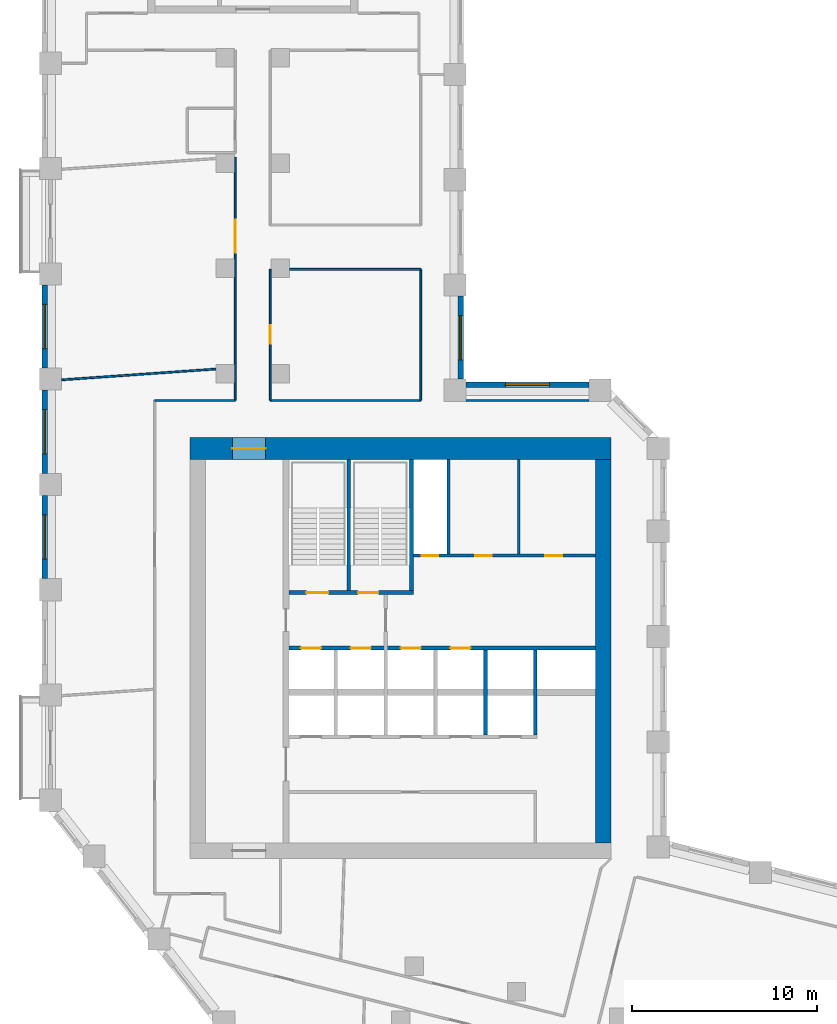
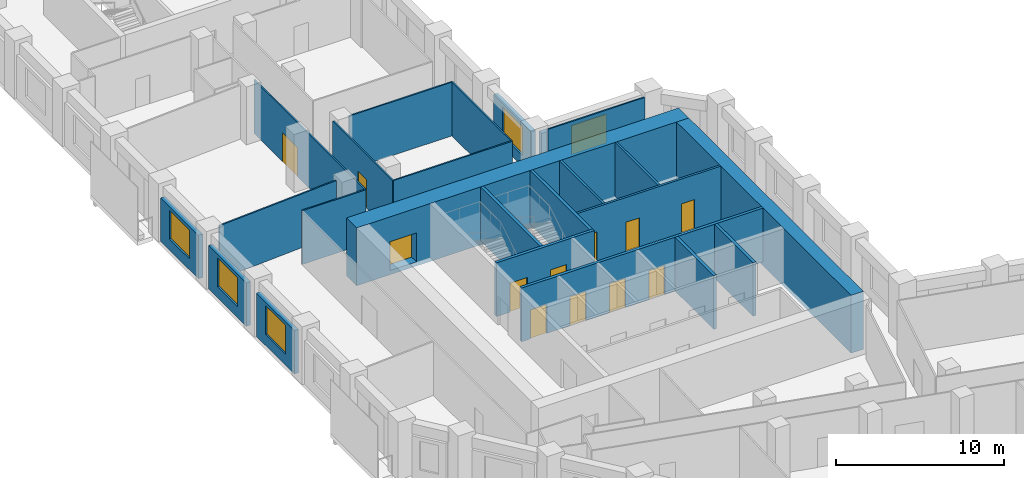
# One storey, part 5 of 10: 24 walls, 12 doors, 5 windows, 17 openings.
"""IFC4 building model written with IfcOpenShell, lengths in metres."""

from ifc_helpers import new_model, si_unit, direction, frame, frame_2d, origin, place, context, subcontext, project, spatial, rectangle, extrude, material, layer, layer_set, type_object, element, fill, save


model = new_model("IFC4")

# Units and contexts
model_context = context("Model", 3, precision=1e-05, world=origin(), true_north=direction((0.0, 1.0)))
body_context = subcontext(model_context, "Body", "Model", "MODEL_VIEW")
ifc_project = project(units=[si_unit("LENGTHUNIT", "METRE"), si_unit("AREAUNIT", "SQUARE_METRE"), si_unit("VOLUMEUNIT", "CUBIC_METRE"), si_unit("PLANEANGLEUNIT", "RADIAN"), si_unit("MASSUNIT", "GRAM", prefix="KILO")], contexts=[model_context])

# Site, building, storey
site_placement = place(None, origin())
site = spatial("IfcSite", under=ifc_project, at=site_placement, CompositionType="ELEMENT")
building_placement = place(site_placement, origin())
building = spatial("IfcBuilding", under=site, at=building_placement, Name="Meshkara Civic Tower", CompositionType="ELEMENT")
storey_placement = place(building_placement, frame((0.0, 0.0, 165.60009765625)))
storey = spatial("IfcBuildingStorey", under=building, at=storey_placement, Name="L37", CompositionType="ELEMENT", Elevation=165.60009765625)

# Wall, openings, doors
ifc_material_1 = material(Name="Blockwork", Category="masonry")
ifc_layer_1 = layer(ifc_material_1, 0.14990234375)
ifc_layer_set_1 = layer_set([ifc_layer_1], Name="Core partition 150")
wall_type_1 = type_object("IfcWallType", Name="Core partition 150", PredefinedType="PARTITIONING", material=ifc_layer_set_1)
wall_1_placement = place(storey_placement, frame((20.10009765625, 30.5, 0.0), z_axis=(0.0, 0.0, 1.0), x_axis=(1.0, 0.0, 0.0)))
wall_1 = element("IfcWall", 1, at=wall_1_placement, inside=storey, type_object=wall_type_1, Name="L37-C010", PredefinedType="PARTITIONING", context=body_context, shape_type="SweptSolid", body=[
    extrude(rectangle(XDim=9.849853515625, YDim=0.14990234375, at=frame_2d((4.9248046875, 0.0))), origin(), (0.0, 0.0, 1.0), 3.89990234375),
])
opening_1_placement = place(wall_1_placement, frame((0.449951171875, 0.0, 0.0)))
opening_1 = element("IfcOpeningElement", 2, at=opening_1_placement, cuts=wall_1, Name="Opening L37-K011", PredefinedType="OPENING", context=body_context, shape_type="SweptSolid", body=[
    extrude(rectangle(XDim=0.89990234375, YDim=2.10009765625, at=frame_2d((0.449951171875, 1.050048828125))), frame((0.0, 0.0849609375, 0.0), z_axis=(0.0, -1.0, 0.0), x_axis=(1.0, 0.0, 0.0)), (0.0, 0.0, 1.0), 0.169921875),
])
opening_2_placement = place(wall_1_placement, frame((3.35009765625, 0.0, 0.0)))
opening_2 = element("IfcOpeningElement", 3, at=opening_2_placement, cuts=wall_1, Name="Opening L37-K012", PredefinedType="OPENING", context=body_context, shape_type="SweptSolid", body=[
    extrude(rectangle(XDim=0.89990234375, YDim=2.10009765625, at=frame_2d((0.449951171875, 1.050048828125))), frame((0.0, 0.0849609375, 0.0), z_axis=(0.0, -1.0, 0.0), x_axis=(1.0, 0.0, 0.0)), (0.0, 0.0, 1.0), 0.169921875),
])
opening_3_placement = place(wall_1_placement, frame((7.14990234375, 0.0, 0.0)))
opening_3 = element("IfcOpeningElement", 4, at=opening_3_placement, cuts=wall_1, Name="Opening L37-K013", PredefinedType="OPENING", context=body_context, shape_type="SweptSolid", body=[
    extrude(rectangle(XDim=0.89990234375, YDim=2.10009765625, at=frame_2d((0.449951171875, 1.050048828125))), frame((0.0, 0.0849609375, 0.0), z_axis=(0.0, -1.0, 0.0), x_axis=(1.0, 0.0, 0.0)), (0.0, 0.0, 1.0), 0.169921875),
])
ifc_material_2 = material(Name="Timber door leaf in steel frame", Category="steel")
door_type_1 = type_object("IfcDoorType", Name="Core room door 900", OperationType="SINGLE_SWING_LEFT", PredefinedType="DOOR", material=ifc_material_2)
door_1_placement = place(opening_2_placement, origin())
door_1 = element("IfcDoor", 5, at=door_1_placement, inside=storey, type_object=door_type_1, Name="L37-K012", OperationType="SINGLE_SWING_RIGHT", OverallHeight=2.10009765625, OverallWidth=0.89990234375, PredefinedType="DOOR", context=body_context, shape_type="SweptSolid", body=[
    extrude(rectangle(XDim=0.89990234375, YDim=2.10009765625, at=frame_2d((0.449951171875, 1.050048828125))), frame((0.0, 0.02490234375, 0.0), z_axis=(0.0, -1.0, 0.0), x_axis=(1.0, 0.0, 0.0)), (0.0, 0.0, 1.0), 0.050048828125),
])
fill(opening_2, door_1)
ifc_material_3 = material(Name="Fire-rated door leaf in steel frame", Category="steel")
door_type_2 = type_object("IfcDoorType", Name="Riser door 900", OperationType="SINGLE_SWING_LEFT", PredefinedType="DOOR", material=ifc_material_3)
door_2_placement = place(opening_1_placement, origin())
door_2 = element("IfcDoor", 6, at=door_2_placement, inside=storey, type_object=door_type_2, Name="L37-K011", OperationType="SINGLE_SWING_RIGHT", OverallHeight=2.10009765625, OverallWidth=0.89990234375, PredefinedType="DOOR", context=body_context, shape_type="SweptSolid", body=[
    extrude(rectangle(XDim=0.89990234375, YDim=2.10009765625, at=frame_2d((0.449951171875, 1.050048828125))), frame((0.0, 0.02490234375, 0.0), z_axis=(0.0, -1.0, 0.0), x_axis=(1.0, 0.0, 0.0)), (0.0, 0.0, 1.0), 0.050048828125),
])
fill(opening_1, door_2)
ifc_material_4 = material(Name="Timber door leaf in steel frame", Category="steel")
door_type_3 = type_object("IfcDoorType", Name="WC door 900", OperationType="SINGLE_SWING_LEFT", PredefinedType="DOOR", material=ifc_material_4)
door_3_placement = place(opening_3_placement, origin())
door_3 = element("IfcDoor", 7, at=door_3_placement, inside=storey, type_object=door_type_3, Name="L37-K013", OperationType="SINGLE_SWING_LEFT", OverallHeight=2.10009765625, OverallWidth=0.89990234375, PredefinedType="DOOR", context=body_context, shape_type="SweptSolid", body=[
    extrude(rectangle(XDim=0.89990234375, YDim=2.10009765625, at=frame_2d((0.449951171875, 1.050048828125))), frame((0.0, 0.02490234375, 0.0), z_axis=(0.0, -1.0, 0.0), x_axis=(1.0, 0.0, 0.0)), (0.0, 0.0, 1.0), 0.050048828125),
])
fill(opening_3, door_3)

# Walls
for number, where, z_axis, x_axis, name in (
    (8, (22.0, 30.574951171875, 0.0), (0.0, 0.0, 1.0), (0.0, 1.0, 0.0), "L37-C017"),
    (9, (25.800048828125, 30.574951171875, 0.0), (0.0, 0.0, 1.0), (0.0, 1.0, 0.0), "L37-C019"),
):
    element("IfcWall", number, at=place(storey_placement, frame(where, z_axis=z_axis, x_axis=x_axis)), inside=storey, type_object=wall_type_1, Name=name, PredefinedType="PARTITIONING", context=body_context, shape_type="SweptSolid", body=[
        extrude(rectangle(XDim=5.125, YDim=0.14990234375, at=frame_2d((2.5625, 0.0))), origin(), (0.0, 0.0, 1.0), 3.89990234375),
    ])

# Wall, opening, door
ifc_material_5 = material(Name="Concrete C70", Category="concrete")
ifc_layer_2 = layer(ifc_material_5, 1.199951171875)
ifc_layer_set_2 = layer_set([ifc_layer_2], Name="Core ring wall 1200 C70")
wall_type_2 = type_object("IfcWallType", Name="Core ring wall 1200 C70", PredefinedType="SHEAR", material=ifc_layer_set_2)
wall_2_placement = place(storey_placement, frame((8.0, 36.300048828125, -0.300048828125), z_axis=(0.0, 0.0, 1.0), x_axis=(1.0, 0.0, 0.0)))
wall_2 = element("IfcWall", 10, at=wall_2_placement, inside=storey, type_object=wall_type_2, Name="L37-C002", PredefinedType="SHEAR", context=body_context, shape_type="SweptSolid", body=[
    extrude(rectangle(XDim=22.800048828125, YDim=1.199951171875, at=frame_2d((11.39990234375, 0.0))), origin(), (0.0, 0.0, 1.0), 4.199951171875),
])
opening_4_placement = place(wall_2_placement, frame((2.300048828125, 0.0, 0.300048828125)))
opening_4 = element("IfcOpeningElement", 11, at=opening_4_placement, cuts=wall_2, Name="Opening L37-K019", PredefinedType="OPENING", context=body_context, shape_type="SweptSolid", body=[
    extrude(rectangle(XDim=1.800048828125, YDim=2.10009765625, at=frame_2d((0.89990234375, 1.050048828125))), frame((0.0, 0.60986328125, 0.0), z_axis=(0.0, -1.0, 0.0), x_axis=(1.0, 0.0, 0.0)), (0.0, 0.0, 1.0), 1.219970703125),
])
ifc_material_6 = material(Name="Fire-rated door leaf in steel frame", Category="steel")
door_type_4 = type_object("IfcDoorType", Name="Core double door 1800 EI 60", OperationType="DOUBLE_DOOR_SINGLE_SWING", PredefinedType="DOOR", material=ifc_material_6)
door_4_placement = place(opening_4_placement, origin())
door_4 = element("IfcDoor", 12, at=door_4_placement, inside=storey, type_object=door_type_4, Name="L37-K019", OperationType="DOUBLE_DOOR_SINGLE_SWING", OverallHeight=2.10009765625, OverallWidth=1.800048828125, PredefinedType="DOOR", context=body_context, shape_type="SweptSolid", body=[
    extrude(rectangle(XDim=1.800048828125, YDim=2.10009765625, at=frame_2d((0.89990234375, 1.050048828125))), frame((0.0, 0.02490234375, 0.0), z_axis=(0.0, -1.0, 0.0), x_axis=(1.0, 0.0, 0.0)), (0.0, 0.0, 1.0), 0.050048828125),
])
fill(opening_4, door_4)

# Wall
ifc_material_7 = material(Name="Concrete C70", Category="concrete")
ifc_layer_3 = layer(ifc_material_7, 0.85009765625)
ifc_layer_set_3 = layer_set([ifc_layer_3], Name="Core ring wall 850 C70")
wall_type_3 = type_object("IfcWallType", Name="Core ring wall 850 C70", PredefinedType="SHEAR", material=ifc_layer_set_3)
wall_3_placement = place(storey_placement, frame((30.375, 14.949951171875, -0.300048828125), z_axis=(0.0, 0.0, 1.0), x_axis=(0.0, 1.0, 0.0)))
element("IfcWall", 13, at=wall_3_placement, inside=storey, type_object=wall_type_3, Name="L37-C004", PredefinedType="SHEAR", context=body_context, shape_type="SweptSolid", body=[
    extrude(rectangle(XDim=20.75, YDim=0.85009765625, at=frame_2d((10.375, 0.0))), origin(), (0.0, 0.0, 1.0), 4.199951171875),
])

# Wall, opening, door
ifc_material_8 = material(Name="Corridor wall 100")
ifc_layer_4 = layer(ifc_material_8, 0.10009765625)
ifc_layer_set_4 = layer_set([ifc_layer_4], Name="Corridor wall 100")
wall_type_4 = type_object("IfcWallType", Name="Corridor wall 100", PredefinedType="PARTITIONING", material=ifc_layer_set_4)
wall_4_placement = place(storey_placement, frame((10.449951171875, 38.89990234375, 0.0), z_axis=(0.0, 0.0, 1.0), x_axis=(0.0, 1.0, 0.0)))
wall_4 = element("IfcWall", 14, at=wall_4_placement, inside=storey, type_object=wall_type_4, Name="L37-W011", PredefinedType="PARTITIONING", context=body_context, shape_type="SweptSolid", body=[
    extrude(rectangle(XDim=13.174072265625, YDim=0.10009765625, at=frame_2d((6.5869140625, 0.0))), origin(), (0.0, 0.0, 1.0), 3.89990234375),
])
opening_5_placement = place(wall_4_placement, frame((7.993896484375, 0.0, 0.0)))
opening_5 = element("IfcOpeningElement", 15, at=opening_5_placement, cuts=wall_4, Name="Opening L37-D017", PredefinedType="OPENING", context=body_context, shape_type="SweptSolid", body=[
    extrude(rectangle(XDim=1.800048828125, YDim=2.10009765625, at=frame_2d((0.89990234375, 1.050048828125))), frame((0.0, 0.06005859375, 0.0), z_axis=(0.0, -1.0, 0.0), x_axis=(1.0, 0.0, 0.0)), (0.0, 0.0, 1.0), 0.1201171875),
])
ifc_material_9 = material(Name="Door pair 1800 x 2100")
door_type_5 = type_object("IfcDoorType", Name="Door pair 1800 x 2100", OperationType="SINGLE_SWING_LEFT", PredefinedType="DOOR", material=ifc_material_9)
door_5_placement = place(opening_5_placement, origin())
door_5 = element("IfcDoor", 16, at=door_5_placement, inside=storey, type_object=door_type_5, Name="L37-D017", OperationType="DOUBLE_DOOR_SINGLE_SWING", OverallHeight=2.10009765625, OverallWidth=1.800048828125, PredefinedType="DOOR", context=body_context, shape_type="SweptSolid", body=[
    extrude(rectangle(XDim=1.800048828125, YDim=2.10009765625, at=frame_2d((0.89990234375, 1.050048828125))), frame((0.0, 0.02490234375, 0.0), z_axis=(0.0, -1.0, 0.0), x_axis=(1.0, 0.0, 0.0)), (0.0, 0.0, 1.0), 0.050048828125),
])
fill(opening_5, door_5)

# Wall
wall_5_placement = place(storey_placement, frame((10.449951171875, 38.89990234375, 0.0), z_axis=(0.0, 0.0, 1.0), x_axis=(-1.0, 0.0, 0.0)))
element("IfcWall", 17, at=wall_5_placement, inside=storey, type_object=wall_type_4, Name="L37-W012", PredefinedType="PARTITIONING", context=body_context, shape_type="SweptSolid", body=[
    extrude(rectangle(XDim=4.349853515625, YDim=0.10009765625, at=frame_2d((2.1748046875, 0.0))), origin(), (0.0, 0.0, 1.0), 3.89990234375),
])

# Wall, opening, door
wall_6_placement = place(storey_placement, frame((12.35009765625, 38.89990234375, 0.0), z_axis=(0.0, 0.0, 1.0), x_axis=(0.0, 1.0, 0.0)))
wall_6 = element("IfcWall", 18, at=wall_6_placement, inside=storey, type_object=wall_type_4, Name="L37-W014", PredefinedType="PARTITIONING", context=body_context, shape_type="SweptSolid", body=[
    extrude(rectangle(XDim=7.09619140625, YDim=0.10009765625, at=frame_2d((3.548095703125, 0.0))), origin(), (0.0, 0.0, 1.0), 3.89990234375),
])
opening_6_placement = place(wall_6_placement, frame((3.080078125, 0.0, 0.0)))
opening_6 = element("IfcOpeningElement", 19, at=opening_6_placement, cuts=wall_6, Name="Opening L37-D018", PredefinedType="OPENING", context=body_context, shape_type="SweptSolid", body=[
    extrude(rectangle(XDim=1.0, YDim=2.10009765625, at=frame_2d((0.5, 1.050048828125))), frame((0.0, 0.06005859375, 0.0), z_axis=(0.0, -1.0, 0.0), x_axis=(1.0, 0.0, 0.0)), (0.0, 0.0, 1.0), 0.1201171875),
])
ifc_material_10 = material(Name="Door 1000 x 2100")
door_type_6 = type_object("IfcDoorType", Name="Door 1000 x 2100", OperationType="SINGLE_SWING_LEFT", PredefinedType="DOOR", material=ifc_material_10)
door_6_placement = place(opening_6_placement, origin())
door_6 = element("IfcDoor", 20, at=door_6_placement, inside=storey, type_object=door_type_6, Name="L37-D018", OperationType="SINGLE_SWING_LEFT", OverallHeight=2.10009765625, OverallWidth=1.0, PredefinedType="DOOR", context=body_context, shape_type="SweptSolid", body=[
    extrude(rectangle(XDim=1.0, YDim=2.10009765625, at=frame_2d((0.5, 1.050048828125))), frame((0.0, 0.02490234375, 0.0), z_axis=(0.0, -1.0, 0.0), x_axis=(1.0, 0.0, 0.0)), (0.0, 0.0, 1.0), 0.050048828125),
])
fill(opening_6, door_6)

# Walls
wall_7_placement = place(storey_placement, frame((13.39990234375, 46.0, 0.0), z_axis=(0.0, 0.0, 1.0), x_axis=(1.0, 0.0, 0.0)))
element("IfcWall", 21, at=wall_7_placement, inside=storey, type_object=wall_type_4, Name="L37-W017", PredefinedType="PARTITIONING", context=body_context, shape_type="SweptSolid", body=[
    extrude(rectangle(XDim=7.10009765625, YDim=0.10009765625, at=frame_2d((3.550048828125, 0.0))), origin(), (0.0, 0.0, 1.0), 3.89990234375),
])
wall_8_placement = place(storey_placement, frame((20.5, 38.89990234375, 0.0), z_axis=(0.0, 0.0, 1.0), x_axis=(-1.0, 0.0, 0.0)))
element("IfcWall", 22, at=wall_8_placement, inside=storey, type_object=wall_type_4, Name="L37-W021", PredefinedType="PARTITIONING", context=body_context, shape_type="SweptSolid", body=[
    extrude(rectangle(XDim=8.14990234375, YDim=0.10009765625, at=frame_2d((4.074951171875, 0.0))), origin(), (0.0, 0.0, 1.0), 3.89990234375),
])
wall_9_placement = place(storey_placement, frame((20.5, 46.0, 0.0), z_axis=(0.0, 0.0, 1.0), x_axis=(0.0, -1.0, 0.0)))
element("IfcWall", 23, at=wall_9_placement, inside=storey, type_object=wall_type_4, Name="L37-W022", PredefinedType="PARTITIONING", context=body_context, shape_type="SweptSolid", body=[
    extrude(rectangle(XDim=7.10009765625, YDim=0.10009765625, at=frame_2d((3.550048828125, 0.0))), origin(), (0.0, 0.0, 1.0), 3.89990234375),
])
wall_10_placement = place(storey_placement, frame((29.593994140625, 38.89990234375, 0.0), z_axis=(0.0, 0.0, 1.0), x_axis=(-1.0, 0.0, 0.0)))
element("IfcWall", 24, at=wall_10_placement, inside=storey, type_object=wall_type_4, Name="L37-W026", PredefinedType="PARTITIONING", context=body_context, shape_type="SweptSolid", body=[
    extrude(rectangle(XDim=6.64404296875, YDim=0.10009765625, at=frame_2d((3.322021484375, 0.0))), origin(), (0.0, 0.0, 1.0), 3.89990234375),
])

# Wall, opening, window
ifc_material_11 = material(Name="Insulated infill panel with bronze anodised aluminium cladding", Category="aluminium")
ifc_layer_5 = layer(ifc_material_11, 0.300048828125)
ifc_layer_set_5 = layer_set([ifc_layer_5], Name="EXTERNAL INFILL WALL 300")
wall_type_5 = type_object("IfcWallType", Name="EXTERNAL INFILL WALL 300", PredefinedType="SOLIDWALL", material=ifc_layer_set_5)
wall_11_placement = place(storey_placement, frame((29.593994140625, 39.75, 0.0), z_axis=(0.0, 0.0, 1.0), x_axis=(-1.0, 0.0, 0.0)))
wall_11 = element("IfcWall", 25, at=wall_11_placement, inside=storey, type_object=wall_type_5, Name="External wall", PredefinedType="SOLIDWALL", context=body_context, shape_type="SweptSolid", body=[
    extrude(rectangle(XDim=6.64404296875, YDim=0.300048828125, at=frame_2d((3.322021484375, 0.0))), origin(), (0.0, 0.0, 1.0), 3.14990234375),
])
opening_7_placement = place(wall_11_placement, frame((2.1220703125, 0.0, 0.800048828125)))
opening_7 = element("IfcOpeningElement", 26, at=opening_7_placement, cuts=wall_11, Name="Opening W7", PredefinedType="OPENING", context=body_context, shape_type="SweptSolid", body=[
    extrude(rectangle(XDim=2.39990234375, YDim=2.10009765625, at=frame_2d((1.199951171875, 1.050048828125))), frame((0.0, 0.159912109375, 0.0), z_axis=(0.0, -1.0, 0.0), x_axis=(1.0, 0.0, 0.0)), (0.0, 0.0, 1.0), 0.320068359375),
])
ifc_material_12 = material(Name="Tinted double glazing", Category="glass")
window_type = type_object("IfcWindowType", Name="WINDOW 2400x2100", PartitioningType="DOUBLE_PANEL_VERTICAL", PredefinedType="WINDOW", material=ifc_material_12)
window_1_placement = place(opening_7_placement, origin())
window_1 = element("IfcWindow", 27, at=window_1_placement, inside=storey, type_object=window_type, Name="Window", OverallHeight=2.10009765625, OverallWidth=2.39990234375, PartitioningType="DOUBLE_PANEL_VERTICAL", PredefinedType="WINDOW", context=body_context, shape_type="SweptSolid", body=[
    extrude(rectangle(XDim=2.39990234375, YDim=2.10009765625, at=frame_2d((1.199951171875, 1.050048828125))), frame((0.0, 0.030029296875, 0.0), z_axis=(0.0, -1.0, 0.0), x_axis=(1.0, 0.0, 0.0)), (0.0, 0.0, 1.0), 0.06005859375),
])
fill(opening_7, window_1)

wall_12_placement = place(storey_placement, frame((22.64990234375, 40.050048828125, 0.0), z_axis=(0.0, 0.0, 1.0), x_axis=(0.0, 1.0, 0.0)))
wall_12 = element("IfcWall", 28, at=wall_12_placement, inside=storey, type_object=wall_type_5, Name="External wall", PredefinedType="SOLIDWALL", context=body_context, shape_type="SweptSolid", body=[
    extrude(rectangle(XDim=4.5, YDim=0.300048828125, at=frame_2d((2.25, 0.0))), origin(), (0.0, 0.0, 1.0), 3.14990234375),
])
opening_8_placement = place(wall_12_placement, frame((1.050048828125, 0.0, 0.800048828125)))
opening_8 = element("IfcOpeningElement", 29, at=opening_8_placement, cuts=wall_12, Name="Opening W7", PredefinedType="OPENING", context=body_context, shape_type="SweptSolid", body=[
    extrude(rectangle(XDim=2.39990234375, YDim=2.10009765625, at=frame_2d((1.199951171875, 1.050048828125))), frame((0.0, 0.159912109375, 0.0), z_axis=(0.0, -1.0, 0.0), x_axis=(1.0, 0.0, 0.0)), (0.0, 0.0, 1.0), 0.320068359375),
])
window_2_placement = place(opening_8_placement, origin())
window_2 = element("IfcWindow", 30, at=window_2_placement, inside=storey, type_object=window_type, Name="Window", OverallHeight=2.10009765625, OverallWidth=2.39990234375, PartitioningType="DOUBLE_PANEL_VERTICAL", PredefinedType="WINDOW", context=body_context, shape_type="SweptSolid", body=[
    extrude(rectangle(XDim=2.39990234375, YDim=2.10009765625, at=frame_2d((1.199951171875, 1.050048828125))), frame((0.0, 0.030029296875, 0.0), z_axis=(0.0, -1.0, 0.0), x_axis=(1.0, 0.0, 0.0)), (0.0, 0.0, 1.0), 0.06005859375),
])
fill(opening_8, window_2)

wall_13_placement = place(storey_placement, frame((0.14990234375, 45.155029296875, 0.0), z_axis=(0.0, 0.0, 1.0), x_axis=(0.0, -1.0, 0.0)))
wall_13 = element("IfcWall", 31, at=wall_13_placement, inside=storey, type_object=wall_type_5, Name="External wall", PredefinedType="SOLIDWALL", context=body_context, shape_type="SweptSolid", body=[
    extrude(rectangle(XDim=4.5, YDim=0.300048828125, at=frame_2d((2.25, 0.0))), origin(), (0.0, 0.0, 1.0), 3.14990234375),
])
opening_9_placement = place(wall_13_placement, frame((1.050048828125, 0.0, 0.800048828125)))
opening_9 = element("IfcOpeningElement", 32, at=opening_9_placement, cuts=wall_13, Name="Opening W7", PredefinedType="OPENING", context=body_context, shape_type="SweptSolid", body=[
    extrude(rectangle(XDim=2.39990234375, YDim=2.10009765625, at=frame_2d((1.199951171875, 1.050048828125))), frame((0.0, 0.159912109375, 0.0), z_axis=(0.0, -1.0, 0.0), x_axis=(1.0, 0.0, 0.0)), (0.0, 0.0, 1.0), 0.320068359375),
])
window_3_placement = place(opening_9_placement, origin())
window_3 = element("IfcWindow", 33, at=window_3_placement, inside=storey, type_object=window_type, Name="Window", OverallHeight=2.10009765625, OverallWidth=2.39990234375, PartitioningType="DOUBLE_PANEL_VERTICAL", PredefinedType="WINDOW", context=body_context, shape_type="SweptSolid", body=[
    extrude(rectangle(XDim=2.39990234375, YDim=2.10009765625, at=frame_2d((1.199951171875, 1.050048828125))), frame((0.0, 0.030029296875, 0.0), z_axis=(0.0, -1.0, 0.0), x_axis=(1.0, 0.0, 0.0)), (0.0, 0.0, 1.0), 0.06005859375),
])
fill(opening_9, window_3)

wall_14_placement = place(storey_placement, frame((0.14990234375, 39.455078125, 0.0), z_axis=(0.0, 0.0, 1.0), x_axis=(0.0, -1.0, 0.0)))
wall_14 = element("IfcWall", 34, at=wall_14_placement, inside=storey, type_object=wall_type_5, Name="External wall", PredefinedType="SOLIDWALL", context=body_context, shape_type="SweptSolid", body=[
    extrude(rectangle(XDim=4.5, YDim=0.300048828125, at=frame_2d((2.25, 0.0))), origin(), (0.0, 0.0, 1.0), 3.14990234375),
])
opening_10_placement = place(wall_14_placement, frame((1.050048828125, 0.0, 0.800048828125)))
opening_10 = element("IfcOpeningElement", 35, at=opening_10_placement, cuts=wall_14, Name="Opening W7", PredefinedType="OPENING", context=body_context, shape_type="SweptSolid", body=[
    extrude(rectangle(XDim=2.39990234375, YDim=2.10009765625, at=frame_2d((1.199951171875, 1.050048828125))), frame((0.0, 0.159912109375, 0.0), z_axis=(0.0, -1.0, 0.0), x_axis=(1.0, 0.0, 0.0)), (0.0, 0.0, 1.0), 0.320068359375),
])
window_4_placement = place(opening_10_placement, origin())
window_4 = element("IfcWindow", 36, at=window_4_placement, inside=storey, type_object=window_type, Name="Window", OverallHeight=2.10009765625, OverallWidth=2.39990234375, PartitioningType="DOUBLE_PANEL_VERTICAL", PredefinedType="WINDOW", context=body_context, shape_type="SweptSolid", body=[
    extrude(rectangle(XDim=2.39990234375, YDim=2.10009765625, at=frame_2d((1.199951171875, 1.050048828125))), frame((0.0, 0.030029296875, 0.0), z_axis=(0.0, -1.0, 0.0), x_axis=(1.0, 0.0, 0.0)), (0.0, 0.0, 1.0), 0.06005859375),
])
fill(opening_10, window_4)

wall_15_placement = place(storey_placement, frame((0.14990234375, 33.7548828125, 0.0), z_axis=(0.0, 0.0, 1.0), x_axis=(0.0, -1.0, 0.0)))
wall_15 = element("IfcWall", 37, at=wall_15_placement, inside=storey, type_object=wall_type_5, Name="External wall", PredefinedType="SOLIDWALL", context=body_context, shape_type="SweptSolid", body=[
    extrude(rectangle(XDim=4.5, YDim=0.300048828125, at=frame_2d((2.25, 0.0))), origin(), (0.0, 0.0, 1.0), 3.14990234375),
])
opening_11_placement = place(wall_15_placement, frame((1.050048828125, 0.0, 0.800048828125)))
opening_11 = element("IfcOpeningElement", 38, at=opening_11_placement, cuts=wall_15, Name="Opening W7", PredefinedType="OPENING", context=body_context, shape_type="SweptSolid", body=[
    extrude(rectangle(XDim=2.39990234375, YDim=2.10009765625, at=frame_2d((1.199951171875, 1.050048828125))), frame((0.0, 0.159912109375, 0.0), z_axis=(0.0, -1.0, 0.0), x_axis=(1.0, 0.0, 0.0)), (0.0, 0.0, 1.0), 0.320068359375),
])
window_5_placement = place(opening_11_placement, origin())
window_5 = element("IfcWindow", 39, at=window_5_placement, inside=storey, type_object=window_type, Name="Window", OverallHeight=2.10009765625, OverallWidth=2.39990234375, PartitioningType="DOUBLE_PANEL_VERTICAL", PredefinedType="WINDOW", context=body_context, shape_type="SweptSolid", body=[
    extrude(rectangle(XDim=2.39990234375, YDim=2.10009765625, at=frame_2d((1.199951171875, 1.050048828125))), frame((0.0, 0.030029296875, 0.0), z_axis=(0.0, -1.0, 0.0), x_axis=(1.0, 0.0, 0.0)), (0.0, 0.0, 1.0), 0.06005859375),
])
fill(opening_11, window_5)

# Wall
ifc_material_13 = material(Name="Partition 100")
ifc_layer_6 = layer(ifc_material_13, 0.10009765625)
ifc_layer_set_6 = layer_set([ifc_layer_6], Name="Partition 100")
wall_type_6 = type_object("IfcWallType", Name="Partition 100", PredefinedType="PARTITIONING", material=ifc_layer_set_6)
wall_16_placement = place(storey_placement, frame((9.39990234375, 40.60107421875, 0.0), z_axis=(0.0, 0.0, 1.0), x_axis=(-0.997555044264, -0.069885146225, 0.0)))
element("IfcWall", 40, at=wall_16_placement, inside=storey, type_object=wall_type_6, Name="L37-W046", PredefinedType="PARTITIONING", context=body_context, shape_type="SweptSolid", body=[
    extrude(rectangle(XDim=8.370361328125, YDim=0.10009765625, at=frame_2d((4.18505859375, 0.0))), origin(), (0.0, 0.0, 1.0), 3.89990234375),
])

# Wall, openings, doors
ifc_material_14 = material(Name="Concrete C40/50", Category="concrete")
ifc_layer_7 = layer(ifc_material_14, 0.199951171875)
ifc_layer_set_7 = layer_set([ifc_layer_7], Name="Shaft wall 200 C40/50")
wall_type_7 = type_object("IfcWallType", Name="Shaft wall 200 C40/50", PredefinedType="SOLIDWALL", material=ifc_layer_set_7)
wall_17_placement = place(storey_placement, frame((13.3701171875, 25.5, 0.0), z_axis=(0.0, 0.0, 1.0), x_axis=(1.0, 0.0, 0.0)))
wall_17 = element("IfcWall", 41, at=wall_17_placement, inside=storey, type_object=wall_type_7, Name="L37-C008", PredefinedType="SOLIDWALL", context=body_context, shape_type="SweptSolid", body=[
    extrude(rectangle(XDim=16.579833984375, YDim=0.199951171875, at=frame_2d((8.2900390625, 0.0))), origin(), (0.0, 0.0, 1.0), 3.89990234375),
])
opening_12_placement = place(wall_17_placement, frame((0.6298828125, 0.0, 0.0)))
opening_12 = element("IfcOpeningElement", 42, at=opening_12_placement, cuts=wall_17, Name="Opening L37-K006", PredefinedType="OPENING", context=body_context, shape_type="SweptSolid", body=[
    extrude(rectangle(XDim=1.10009765625, YDim=2.10009765625, at=frame_2d((0.550048828125, 1.050048828125))), frame((0.0, 0.10986328125, 0.0), z_axis=(0.0, -1.0, 0.0), x_axis=(1.0, 0.0, 0.0)), (0.0, 0.0, 1.0), 0.219970703125),
])
opening_13_placement = place(wall_17_placement, frame((3.330078125, 0.0, 0.0)))
opening_13 = element("IfcOpeningElement", 43, at=opening_13_placement, cuts=wall_17, Name="Opening L37-K007", PredefinedType="OPENING", context=body_context, shape_type="SweptSolid", body=[
    extrude(rectangle(XDim=1.10009765625, YDim=2.10009765625, at=frame_2d((0.550048828125, 1.050048828125))), frame((0.0, 0.10986328125, 0.0), z_axis=(0.0, -1.0, 0.0), x_axis=(1.0, 0.0, 0.0)), (0.0, 0.0, 1.0), 0.219970703125),
])
opening_14_placement = place(wall_17_placement, frame((6.030029296875, 0.0, 0.0)))
opening_14 = element("IfcOpeningElement", 44, at=opening_14_placement, cuts=wall_17, Name="Opening L37-K008", PredefinedType="OPENING", context=body_context, shape_type="SweptSolid", body=[
    extrude(rectangle(XDim=1.10009765625, YDim=2.10009765625, at=frame_2d((0.550048828125, 1.050048828125))), frame((0.0, 0.10986328125, 0.0), z_axis=(0.0, -1.0, 0.0), x_axis=(1.0, 0.0, 0.0)), (0.0, 0.0, 1.0), 0.219970703125),
])
opening_15_placement = place(wall_17_placement, frame((8.72998046875, 0.0, 0.0)))
opening_15 = element("IfcOpeningElement", 45, at=opening_15_placement, cuts=wall_17, Name="Opening L37-K009", PredefinedType="OPENING", context=body_context, shape_type="SweptSolid", body=[
    extrude(rectangle(XDim=1.10009765625, YDim=2.10009765625, at=frame_2d((0.550048828125, 1.050048828125))), frame((0.0, 0.10986328125, 0.0), z_axis=(0.0, -1.0, 0.0), x_axis=(1.0, 0.0, 0.0)), (0.0, 0.0, 1.0), 0.219970703125),
])
ifc_material_15 = material(Name="Stainless steel landing door", Category="steel")
door_type_7 = type_object("IfcDoorType", Name="Lift landing door 1100", OperationType="SLIDING_TO_LEFT", PredefinedType="DOOR", material=ifc_material_15)
door_7_placement = place(opening_12_placement, origin())
door_7 = element("IfcDoor", 46, at=door_7_placement, inside=storey, type_object=door_type_7, Name="L37-K006", OperationType="SLIDING_TO_LEFT", OverallHeight=2.10009765625, OverallWidth=1.10009765625, PredefinedType="DOOR", context=body_context, shape_type="SweptSolid", body=[
    extrude(rectangle(XDim=1.10009765625, YDim=2.10009765625, at=frame_2d((0.550048828125, 1.050048828125))), frame((0.0, 0.02490234375, 0.0), z_axis=(0.0, -1.0, 0.0), x_axis=(1.0, 0.0, 0.0)), (0.0, 0.0, 1.0), 0.050048828125),
])
fill(opening_12, door_7)
door_8_placement = place(opening_13_placement, origin())
door_8 = element("IfcDoor", 47, at=door_8_placement, inside=storey, type_object=door_type_7, Name="L37-K007", OperationType="SLIDING_TO_LEFT", OverallHeight=2.10009765625, OverallWidth=1.10009765625, PredefinedType="DOOR", context=body_context, shape_type="SweptSolid", body=[
    extrude(rectangle(XDim=1.10009765625, YDim=2.10009765625, at=frame_2d((0.550048828125, 1.050048828125))), frame((0.0, 0.02490234375, 0.0), z_axis=(0.0, -1.0, 0.0), x_axis=(1.0, 0.0, 0.0)), (0.0, 0.0, 1.0), 0.050048828125),
])
fill(opening_13, door_8)
door_9_placement = place(opening_14_placement, origin())
door_9 = element("IfcDoor", 48, at=door_9_placement, inside=storey, type_object=door_type_7, Name="L37-K008", OperationType="SLIDING_TO_LEFT", OverallHeight=2.10009765625, OverallWidth=1.10009765625, PredefinedType="DOOR", context=body_context, shape_type="SweptSolid", body=[
    extrude(rectangle(XDim=1.10009765625, YDim=2.10009765625, at=frame_2d((0.550048828125, 1.050048828125))), frame((0.0, 0.02490234375, 0.0), z_axis=(0.0, -1.0, 0.0), x_axis=(1.0, 0.0, 0.0)), (0.0, 0.0, 1.0), 0.050048828125),
])
fill(opening_14, door_9)
door_10_placement = place(opening_15_placement, origin())
door_10 = element("IfcDoor", 49, at=door_10_placement, inside=storey, type_object=door_type_7, Name="L37-K009", OperationType="SLIDING_TO_LEFT", OverallHeight=2.10009765625, OverallWidth=1.10009765625, PredefinedType="DOOR", context=body_context, shape_type="SweptSolid", body=[
    extrude(rectangle(XDim=1.10009765625, YDim=2.10009765625, at=frame_2d((0.550048828125, 1.050048828125))), frame((0.0, 0.02490234375, 0.0), z_axis=(0.0, -1.0, 0.0), x_axis=(1.0, 0.0, 0.0)), (0.0, 0.0, 1.0), 0.050048828125),
])
fill(opening_15, door_10)

# Walls
for number, where, z_axis, x_axis, name in (
    (50, (24.0, 20.800048828125, 0.0), (0.0, 0.0, 1.0), (0.0, 1.0, 0.0), "L37-C018"),
    (51, (26.699951171875, 20.800048828125, 0.0), (0.0, 0.0, 1.0), (0.0, 1.0, 0.0), "L37-C021"),
):
    element("IfcWall", number, at=place(storey_placement, frame(where, z_axis=z_axis, x_axis=x_axis)), inside=storey, type_object=wall_type_7, Name=name, PredefinedType="SOLIDWALL", context=body_context, shape_type="SweptSolid", body=[
        extrude(rectangle(XDim=4.599853515625, YDim=0.199951171875, at=frame_2d((2.2998046875, 0.0))), origin(), (0.0, 0.0, 1.0), 3.89990234375),
    ])

# Wall, openings, doors
ifc_material_16 = material(Name="Concrete C40/50", Category="concrete")
ifc_layer_8 = layer(ifc_material_16, 0.199951171875)
ifc_layer_set_8 = layer_set([ifc_layer_8], Name="Stair enclosure wall 200 C40/50")
wall_type_8 = type_object("IfcWallType", Name="Stair enclosure wall 200 C40/50", PredefinedType="SOLIDWALL", material=ifc_layer_set_8)
wall_18_placement = place(storey_placement, frame((13.3701171875, 28.5, 0.0), z_axis=(0.0, 0.0, 1.0), x_axis=(1.0, 0.0, 0.0)))
wall_18 = element("IfcWall", 52, at=wall_18_placement, inside=storey, type_object=wall_type_8, Name="L37-C009", PredefinedType="SOLIDWALL", context=body_context, shape_type="SweptSolid", body=[
    extrude(rectangle(XDim=6.72998046875, YDim=0.199951171875, at=frame_2d((3.364990234375, 0.0))), origin(), (0.0, 0.0, 1.0), 3.89990234375),
])
opening_16_placement = place(wall_18_placement, frame((0.929931640625, 0.0, 0.0)))
opening_16 = element("IfcOpeningElement", 53, at=opening_16_placement, cuts=wall_18, Name="Opening L37-K014", PredefinedType="OPENING", context=body_context, shape_type="SweptSolid", body=[
    extrude(rectangle(XDim=1.199951171875, YDim=2.10009765625, at=frame_2d((0.60009765625, 1.050048828125))), frame((0.0, 0.10986328125, 0.0), z_axis=(0.0, -1.0, 0.0), x_axis=(1.0, 0.0, 0.0)), (0.0, 0.0, 1.0), 0.219970703125),
])
opening_17_placement = place(wall_18_placement, frame((3.72998046875, 0.0, 0.0)))
opening_17 = element("IfcOpeningElement", 54, at=opening_17_placement, cuts=wall_18, Name="Opening L37-K015", PredefinedType="OPENING", context=body_context, shape_type="SweptSolid", body=[
    extrude(rectangle(XDim=1.10009765625, YDim=2.10009765625, at=frame_2d((0.550048828125, 1.050048828125))), frame((0.0, 0.10986328125, 0.0), z_axis=(0.0, -1.0, 0.0), x_axis=(1.0, 0.0, 0.0)), (0.0, 0.0, 1.0), 0.219970703125),
])
ifc_material_17 = material(Name="Fire-rated door leaf in steel frame", Category="steel")
door_type_8 = type_object("IfcDoorType", Name="Stair door 1100 EI 120", OperationType="SINGLE_SWING_LEFT", PredefinedType="DOOR", material=ifc_material_17)
door_11_placement = place(opening_17_placement, origin())
door_11 = element("IfcDoor", 55, at=door_11_placement, inside=storey, type_object=door_type_8, Name="L37-K015", OperationType="SINGLE_SWING_LEFT", OverallHeight=2.10009765625, OverallWidth=1.10009765625, PredefinedType="DOOR", context=body_context, shape_type="SweptSolid", body=[
    extrude(rectangle(XDim=1.10009765625, YDim=2.10009765625, at=frame_2d((0.550048828125, 1.050048828125))), frame((0.0, 0.02490234375, 0.0), z_axis=(0.0, -1.0, 0.0), x_axis=(1.0, 0.0, 0.0)), (0.0, 0.0, 1.0), 0.050048828125),
])
fill(opening_17, door_11)
ifc_material_18 = material(Name="Fire-rated door leaf in steel frame", Category="steel")
door_type_9 = type_object("IfcDoorType", Name="Stair door 1200 EI 120", OperationType="SINGLE_SWING_LEFT", PredefinedType="DOOR", material=ifc_material_18)
door_12_placement = place(opening_16_placement, origin())
door_12 = element("IfcDoor", 56, at=door_12_placement, inside=storey, type_object=door_type_9, Name="L37-K014", OperationType="SINGLE_SWING_RIGHT", OverallHeight=2.10009765625, OverallWidth=1.199951171875, PredefinedType="DOOR", context=body_context, shape_type="SweptSolid", body=[
    extrude(rectangle(XDim=1.199951171875, YDim=2.10009765625, at=frame_2d((0.60009765625, 1.050048828125))), frame((0.0, 0.02490234375, 0.0), z_axis=(0.0, -1.0, 0.0), x_axis=(1.0, 0.0, 0.0)), (0.0, 0.0, 1.0), 0.050048828125),
])
fill(opening_16, door_12)

# Walls
for number, where, z_axis, x_axis, name in (
    (57, (16.60009765625, 28.60009765625, 0.0), (0.0, 0.0, 1.0), (0.0, 1.0, 0.0), "L37-C013"),
    (58, (20.0, 28.60009765625, 0.0), (0.0, 0.0, 1.0), (0.0, 1.0, 0.0), "L37-C015"),
):
    element("IfcWall", number, at=place(storey_placement, frame(where, z_axis=z_axis, x_axis=x_axis)), inside=storey, type_object=wall_type_8, Name=name, PredefinedType="SOLIDWALL", context=body_context, shape_type="SweptSolid", body=[
        extrude(rectangle(XDim=7.099853515625, YDim=0.199951171875, at=frame_2d((3.5498046875, 0.0))), origin(), (0.0, 0.0, 1.0), 3.89990234375),
    ])

save(model, "model.ifc")
